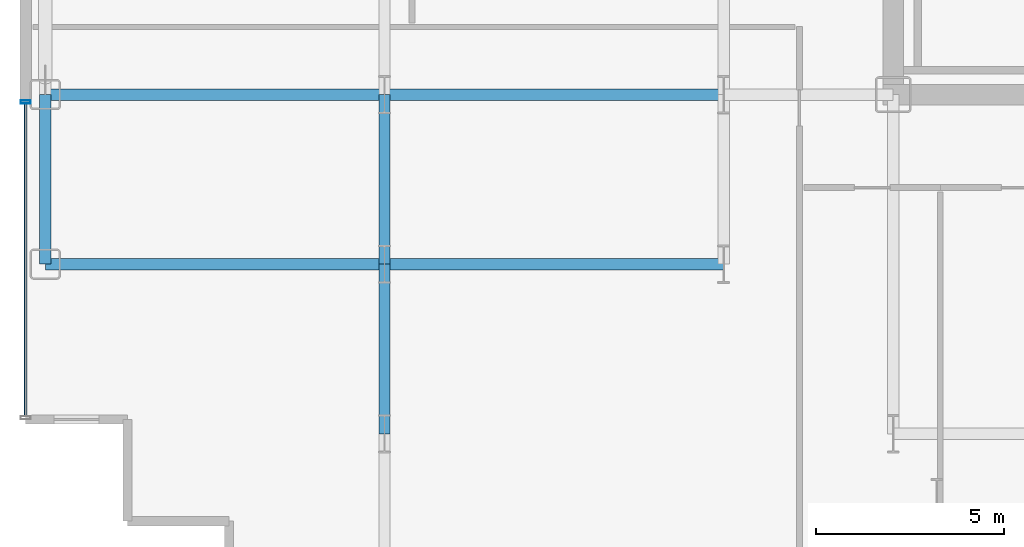
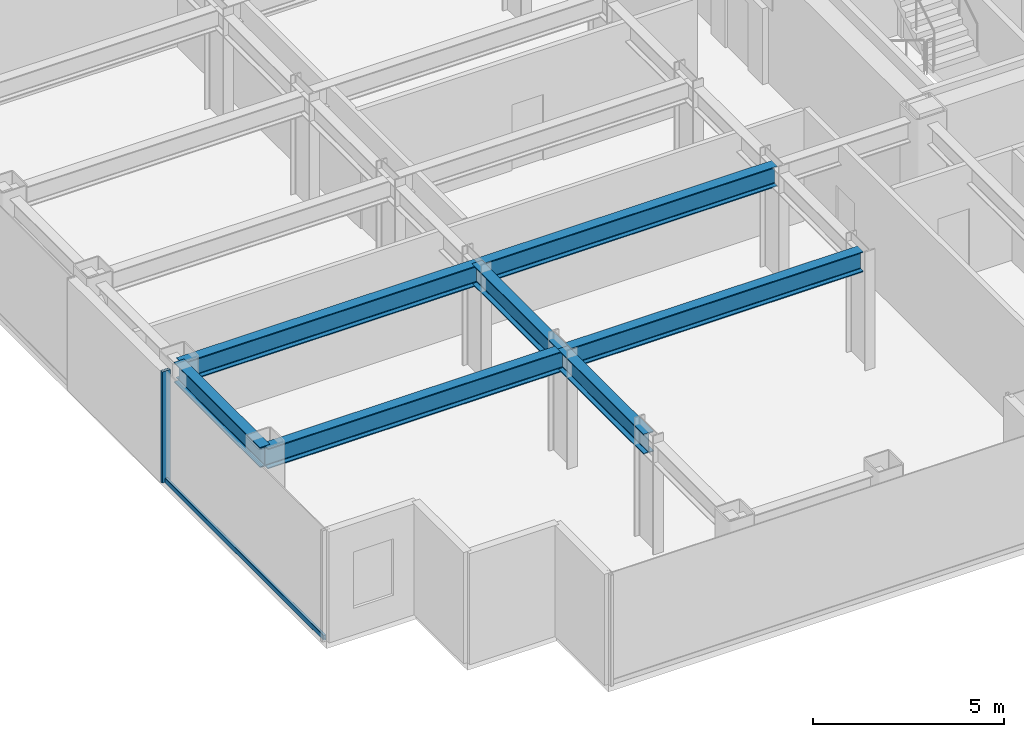
# One storey, part 3 of 29: 7 beams, 2 members, 1 element without a shape of its own.
"""IFC4 building model written with IfcOpenShell, lengths in metres."""

from ifc_helpers import new_model, si_unit, direction, frame, origin, origin_2d, place, context, subcontext, project, spatial, hollow_rectangle, i_section, extrude, source, transform, mapped, material, layer, layer_set, material_profile, profile_set, type_object, element, aggregate, save


model = new_model("IFC4")

# Units and contexts
model_context = context("Model", 3, precision=1e-05, world=origin(), true_north=direction((0.0, 1.0)))
body_context = subcontext(model_context, "Body", "Model", "MODEL_VIEW")
ifc_project = project(units=[si_unit("LENGTHUNIT", "METRE"), si_unit("AREAUNIT", "SQUARE_METRE"), si_unit("VOLUMEUNIT", "CUBIC_METRE"), si_unit("PLANEANGLEUNIT", "RADIAN"), si_unit("MASSUNIT", "GRAM", prefix="KILO")], contexts=[model_context])

# Site, building, storey
site_placement = place(None, origin())
site = spatial("IfcSite", under=ifc_project, at=site_placement, CompositionType="ELEMENT")
building_placement = place(site_placement, origin())
building = spatial("IfcBuilding", under=site, at=building_placement, Name="Nefas-Gora Pilgrimage Tower", CompositionType="ELEMENT")
storey_placement = place(building_placement, frame((0.0, 0.0, 136.39990234375)))
storey = spatial("IfcBuildingStorey", under=building, at=storey_placement, Name="L33", CompositionType="ELEMENT", Elevation=136.39990234375)

# Beams
ifc_material_1 = material(Name="Steel S355", Category="steel")
ifc_material_profile_1 = material_profile(ifc_material_1, i_section(OverallWidth=0.300048828125, OverallDepth=0.64990234375, WebThickness=0.01611328125, FlangeThickness=0.031005859375, FilletRadius=0.027099609375, at=origin_2d()), Name="HEB 650")
ifc_profile_set_1 = profile_set([ifc_material_profile_1], Name="Steel S355")
beam_type_1 = type_object("IfcBeamType", Name="BM-SPN-HEB500", PredefinedType="SPANDREL", material=ifc_profile_set_1)
shared_shape_1 = source(origin(), body_context, "Body", "SweptSolid", [
    extrude(i_section(OverallWidth=0.300048828125, OverallDepth=0.64990234375, WebThickness=0.01611328125, FlangeThickness=0.031005859375, FilletRadius=0.027099609375, at=origin_2d()), origin(), (0.0, 0.0, 1.0), 4.5),
])
beam_placement = place(storey_placement, frame((-33.75, -13.5, 3.22509765625), z_axis=(0.0, 1.0, 0.0), x_axis=(-1.0, 0.0, 0.0)))
element("IfcBeam", 1, at=beam_placement, inside=storey, type_object=beam_type_1, Name="L33 SP-02 beam", PredefinedType="SPANDREL", context=body_context, shape_type="MappedRepresentation", body=[
    mapped(shared_shape_1, transform((0.0, 0.0, 0.0), x_axis=(1.0, 0.0, 0.0), y_axis=(0.0, 1.0, 0.0), z_axis=(0.0, 0.0, 1.0), scale=1.0)),
])
ifc_material_profile_2 = material_profile(ifc_material_1, i_section(OverallWidth=0.300048828125, OverallDepth=0.64990234375, WebThickness=0.01611328125, FlangeThickness=0.031005859375, FilletRadius=0.027099609375, at=origin_2d()), Name="HEB 650")
ifc_profile_set_2 = profile_set([ifc_material_profile_2], Name="Steel S355")
beam_type_2 = type_object("IfcBeamType", Name="BM-GIR-HEB650", PredefinedType="BEAM", material=ifc_profile_set_2)
shared_shape_2 = source(origin(), body_context, "Body", "SweptSolid", [
    extrude(i_section(OverallWidth=0.300048828125, OverallDepth=0.64990234375, WebThickness=0.01611328125, FlangeThickness=0.031005859375, FilletRadius=0.027099609375, at=origin_2d()), origin(), (0.0, 0.0, 1.0), 9.0),
])
for number, where, z_axis, x_axis, name in (
    (2, (-33.75, -13.5, 3.22509765625), (1.0, 0.0, 0.0), (0.0, 1.0, 0.0), "L33 G-03 beam"),
    (3, (-33.75, -9.0, 3.22509765625), (1.0, 0.0, 0.0), (0.0, 1.0, 0.0), "L33 G-03 beam"),
    (4, (-24.75, -13.5, 3.22509765625), (1.0, 0.0, 0.0), (0.0, 1.0, 0.0), "L33 G-03 beam"),
    (5, (-24.75, -9.0, 3.22509765625), (1.0, 0.0, 0.0), (0.0, 1.0, 0.0), "L33 G-03 beam"),
):
    element("IfcBeam", number, at=place(storey_placement, frame(where, z_axis=z_axis, x_axis=x_axis)), inside=storey, type_object=beam_type_2, Name=name, PredefinedType="BEAM", context=body_context, shape_type="MappedRepresentation", body=[
        mapped(shared_shape_2, transform((0.0, 0.0, 0.0), x_axis=(1.0, 0.0, 0.0), y_axis=(0.0, 1.0, 0.0), z_axis=(0.0, 0.0, 1.0), scale=1.0)),
    ])
shared_shape_3 = source(origin(), body_context, "Body", "SweptSolid", [
    extrude(i_section(OverallWidth=0.300048828125, OverallDepth=0.64990234375, WebThickness=0.01611328125, FlangeThickness=0.031005859375, FilletRadius=0.027099609375, at=origin_2d()), origin(), (0.0, 0.0, 1.0), 4.5),
])
for number, where, z_axis, x_axis, name in (
    (6, (-24.75, -18.0, 3.22509765625), (0.0, 1.0, 0.0), (-1.0, 0.0, 0.0), "L33 G-03 beam"),
    (7, (-24.75, -13.5, 3.22509765625), (0.0, 1.0, 0.0), (-1.0, 0.0, 0.0), "L33 G-03 beam"),
):
    element("IfcBeam", number, at=place(storey_placement, frame(where, z_axis=z_axis, x_axis=x_axis)), inside=storey, type_object=beam_type_2, Name=name, PredefinedType="BEAM", context=body_context, shape_type="MappedRepresentation", body=[
        mapped(shared_shape_3, transform((0.0, 0.0, 0.0), x_axis=(1.0, 0.0, 0.0), y_axis=(0.0, 1.0, 0.0), z_axis=(0.0, 0.0, 1.0), scale=1.0)),
    ])

# Curtain wall, members
ifc_material_2 = material(Name="Dark ceramic-fritted solar-control aluminium-glass curtain wall", Category="aluminium")
ifc_layer = layer(ifc_material_2, 0.219970703125)
ifc_layer_set = layer_set([ifc_layer], Name="Dark ceramic-fritted solar-control aluminium-glass curtain wall")
curtain_wall_type = type_object("IfcCurtainWallType", Name="CW-SYS-2", PredefinedType="NOTDEFINED", material=ifc_layer_set)
curtain_wall_placement = place(storey_placement, origin())
curtain_wall = element("IfcCurtainWall", 8, at=curtain_wall_placement, inside=storey, type_object=curtain_wall_type, Name="L33 Unitised Curtain Wall CW2", PredefinedType="NOTDEFINED")
ifc_material_3 = material(Name="Anodised architectural aluminium", Category="aluminium")
ifc_material_profile_3 = material_profile(ifc_material_3, hollow_rectangle(XDim=0.090087890625, YDim=0.260009765625, WallThickness=0.006103515625, InnerFilletRadius=0.006103515625, OuterFilletRadius=0.011962890625, at=origin_2d()), Name="ALU MULLION 90x260")
ifc_profile_set_3 = profile_set([ifc_material_profile_3], Name="Anodised architectural aluminium")
member_type_1 = type_object("IfcMemberType", Name="CWM-MUL-2", PredefinedType="MULLION", material=ifc_profile_set_3)
shared_shape_4 = source(origin(), body_context, "Body", "SweptSolid", [
    extrude(hollow_rectangle(XDim=0.090087890625, YDim=0.260009765625, WallThickness=0.006103515625, InnerFilletRadius=0.006103515625, OuterFilletRadius=0.011962890625, at=origin_2d()), origin(), (0.0, 0.0, 1.0), 3.550048828125),
])
member_1_placement = place(storey_placement, frame((-34.27001953125, -9.195068359375, 0.0), z_axis=(0.0, 0.0, 1.0), x_axis=(0.0, -1.0, 0.0)))
member_1 = element("IfcMember", 9, at=member_1_placement, type_object=member_type_1, Name="CW2 Mullion 1", PredefinedType="MULLION", context=body_context, shape_type="MappedRepresentation", body=[
    mapped(shared_shape_4, transform((0.0, 0.0, 0.0), x_axis=(1.0, 0.0, 0.0), y_axis=(0.0, 1.0, 0.0), z_axis=(0.0, 0.0, 1.0), scale=1.0)),
])
ifc_material_profile_4 = material_profile(ifc_material_3, hollow_rectangle(XDim=0.080078125, YDim=0.159912109375, WallThickness=0.00439453125, InnerFilletRadius=0.00439453125, OuterFilletRadius=0.009033203125, at=origin_2d()), Name="ALU TRANSOM 80x160")
ifc_profile_set_4 = profile_set([ifc_material_profile_4], Name="Anodised architectural aluminium")
member_type_2 = type_object("IfcMemberType", Name="CWM-TRN-2", PredefinedType="USERDEFINED", material=ifc_profile_set_4)
shared_shape_5 = source(origin(), body_context, "Body", "SweptSolid", [
    extrude(hollow_rectangle(XDim=0.080078125, YDim=0.159912109375, WallThickness=0.00439453125, InnerFilletRadius=0.00439453125, OuterFilletRadius=0.009033203125, at=origin_2d()), origin(), (0.0, 0.0, 1.0), 8.2900390625),
])
member_2_placement = place(storey_placement, frame((-34.27001953125, -9.239990234375, 0.050048828125), z_axis=(0.0, -1.0, 0.0), x_axis=(1.0, 0.0, 0.0)))
member_2 = element("IfcMember", 10, at=member_2_placement, type_object=member_type_2, Name="CW2 Spandrel Transom", ObjectType="TRANSOM", PredefinedType="USERDEFINED", context=body_context, shape_type="MappedRepresentation", body=[
    mapped(shared_shape_5, transform((0.0, 0.0, 0.0), x_axis=(1.0, 0.0, 0.0), y_axis=(0.0, 1.0, 0.0), z_axis=(0.0, 0.0, 1.0), scale=1.0)),
])
aggregate(curtain_wall, [member_1, member_2])

save(model, "model.ifc")
